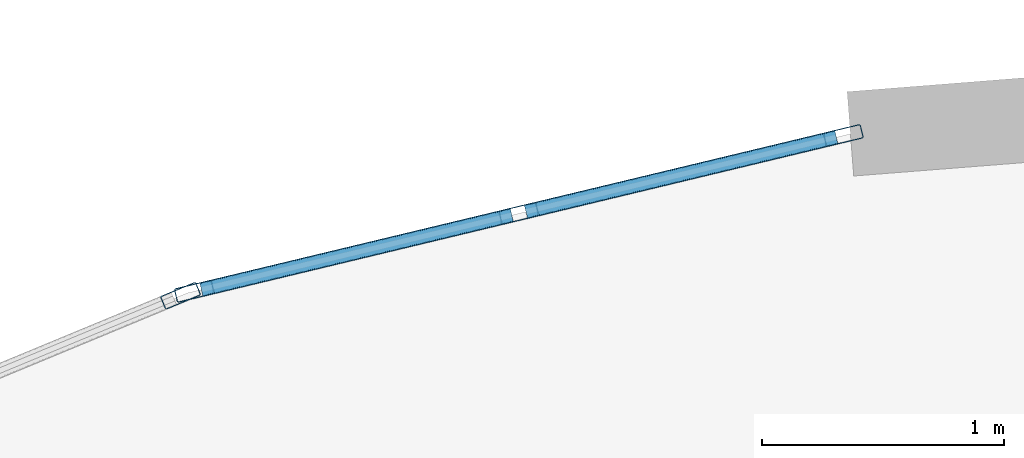
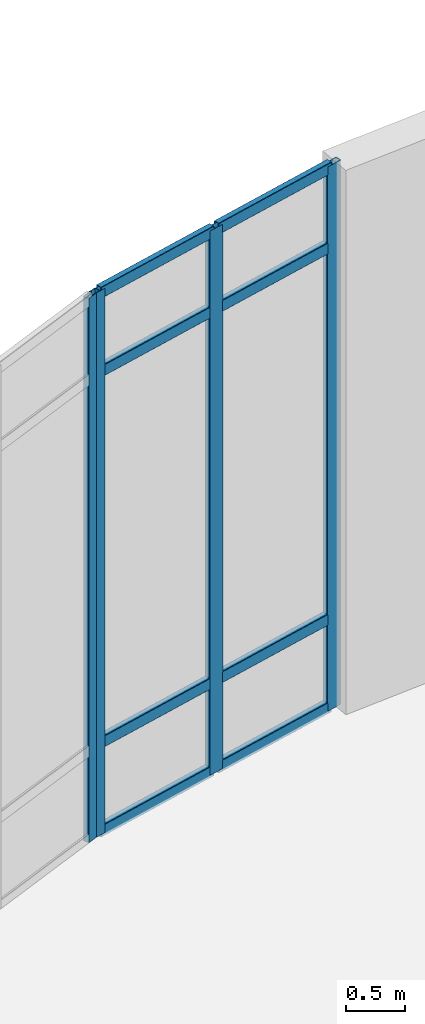
# One storey, part 23 of 82: 12 members, 2 elements without a shape of their own.
"""IFC4 building model written with IfcOpenShell, lengths in metres."""

from ifc_helpers import new_model, si_unit, derived_unit, direction, frame, origin, origin_2d, place, context, subcontext, project, spatial, hollow_rectangle, extrude, material, layer, layer_set, material_profile, profile_set, type_object, element, aggregate, save


model = new_model("IFC4")

# Units and contexts
model_context = context("Model", 3, precision=1e-05, world=origin(), true_north=direction((0.0, 1.0)))
body_context = subcontext(model_context, "Body", "Model", "MODEL_VIEW")
ifc_project = project(units=[si_unit("LENGTHUNIT", "METRE"), si_unit("AREAUNIT", "SQUARE_METRE"), si_unit("VOLUMEUNIT", "CUBIC_METRE"), si_unit("PLANEANGLEUNIT", "RADIAN"), si_unit("MASSUNIT", "GRAM", prefix="KILO"), derived_unit("THERMALTRANSMITTANCEUNIT", [(si_unit("MASSUNIT", "GRAM", prefix="KILO"), 1), (si_unit("TIMEUNIT", "SECOND"), -3), (si_unit("THERMODYNAMICTEMPERATUREUNIT", "KELVIN"), -1)])], contexts=[model_context])

# Site, building, storey
site_placement = place(None, origin())
site = spatial("IfcSite", under=ifc_project, at=site_placement, CompositionType="ELEMENT")
building_placement = place(site_placement, origin())
building = spatial("IfcBuilding", under=site, at=building_placement, Name="Qinzheling Arcade Emporium", CompositionType="ELEMENT")
storey_placement = place(building_placement, origin())
storey = spatial("IfcBuildingStorey", under=building, at=storey_placement, Name="L01", CompositionType="ELEMENT", Elevation=0.0)

# Curtain wall, member
ifc_material_1 = material(Name="Anodised aluminium and solar-control double glazing", Category="aluminium")
ifc_layer = layer(ifc_material_1, 0.159912109375, Name="Anodised aluminium and solar-control double glazing", Category="aluminium")
ifc_layer_set = layer_set([ifc_layer], Name="Anodised aluminium and solar-control double glazing")
curtain_wall_type = type_object("IfcCurtainWallType", Name="Curved Ribbon Sales Curtain Wall", PredefinedType="NOTDEFINED", material=ifc_layer_set)
curtain_wall_1_placement = place(storey_placement, origin())
curtain_wall_1 = element("IfcCurtainWall", 1, at=curtain_wall_1_placement, inside=storey, type_object=curtain_wall_type, Name="Curtain Wall CW-L01-033", PredefinedType="NOTDEFINED")
ifc_material_2 = material(Name="Anodised aluminium 6063-T6", Category="aluminium")
ifc_material_profile_1 = material_profile(ifc_material_2, hollow_rectangle(XDim=0.06005859375, YDim=0.159912109375, WallThickness=0.00390625, InnerFilletRadius=0.00390625, OuterFilletRadius=0.008056640625, at=origin_2d()), Name="RHS 160x60x4", Category="aluminium")
ifc_profile_set_1 = profile_set([ifc_material_profile_1], Name="Anodised aluminium 6063-T6")
member_type_1 = type_object("IfcMemberType", Name="Curtain Wall Mullion RHS160x60", PredefinedType="MULLION", material=ifc_profile_set_1)
member_1_placement = place(storey_placement, frame((64.6103515625, 113.70751953125, 0.0), z_axis=(0.0, 0.0, 1.0), x_axis=(-0.382654004198, 0.923891721508, 0.0)))
member_1 = element("IfcMember", 2, at=member_1_placement, type_object=member_type_1, Name="CW02 mullion 3", PredefinedType="MULLION", context=body_context, shape_type="SweptSolid", body=[
    extrude(hollow_rectangle(XDim=0.06005859375, YDim=0.159912109375, WallThickness=0.00390625, InnerFilletRadius=0.00390625, OuterFilletRadius=0.008056640625, at=origin_2d()), origin(), (0.0, 0.0, 1.0), 5.659912109375),
])
aggregate(curtain_wall_1, [member_1])

# Curtain wall, members
curtain_wall_2_placement = place(storey_placement, origin())
curtain_wall_2 = element("IfcCurtainWall", 3, at=curtain_wall_2_placement, inside=storey, type_object=curtain_wall_type, Name="Curtain Wall CW-L01-034", PredefinedType="NOTDEFINED")
member_2_placement = place(storey_placement, frame((64.667236328125, 113.72607421875, 0.0), z_axis=(0.0, 0.0, 1.0), x_axis=(-0.233359559423, 0.972390516216, 0.0)))
member_2 = element("IfcMember", 4, at=member_2_placement, type_object=member_type_1, Name="CW02 mullion 1", PredefinedType="MULLION", context=body_context, shape_type="SweptSolid", body=[
    extrude(hollow_rectangle(XDim=0.06005859375, YDim=0.159912109375, WallThickness=0.00390625, InnerFilletRadius=0.00390625, OuterFilletRadius=0.008056640625, at=origin_2d()), origin(), (0.0, 0.0, 1.0), 5.659912109375),
])
member_3_placement = place(storey_placement, frame((66.010986328125, 114.048583984375, 0.0), z_axis=(0.0, 0.0, 1.0), x_axis=(-0.233359559423, 0.972390516216, 0.0)))
member_3 = element("IfcMember", 5, at=member_3_placement, type_object=member_type_1, Name="CW02 mullion 2", PredefinedType="MULLION", context=body_context, shape_type="SweptSolid", body=[
    extrude(hollow_rectangle(XDim=0.06005859375, YDim=0.159912109375, WallThickness=0.00390625, InnerFilletRadius=0.00390625, OuterFilletRadius=0.008056640625, at=origin_2d()), origin(), (0.0, 0.0, 1.0), 5.659912109375),
])
member_4_placement = place(storey_placement, frame((67.354736328125, 114.37109375, 0.0), z_axis=(0.0, 0.0, 1.0), x_axis=(-0.233359559423, 0.972390516216, 0.0)))
member_4 = element("IfcMember", 6, at=member_4_placement, type_object=member_type_1, Name="CW02 mullion 3", PredefinedType="MULLION", context=body_context, shape_type="SweptSolid", body=[
    extrude(hollow_rectangle(XDim=0.06005859375, YDim=0.159912109375, WallThickness=0.00390625, InnerFilletRadius=0.00390625, OuterFilletRadius=0.008056640625, at=origin_2d()), origin(), (0.0, 0.0, 1.0), 5.659912109375),
])
ifc_material_profile_2 = material_profile(ifc_material_2, hollow_rectangle(XDim=0.06005859375, YDim=0.1201171875, WallThickness=0.00390625, InnerFilletRadius=0.00390625, OuterFilletRadius=0.008056640625, at=origin_2d()), Name="RHS 120x60x4", Category="aluminium")
ifc_profile_set_2 = profile_set([ifc_material_profile_2], Name="Anodised aluminium 6063-T6")
member_type_2 = type_object("IfcMemberType", Name="Curtain Wall Transom RHS120x60", PredefinedType="USERDEFINED", material=ifc_profile_set_2)
member_5_placement = place(storey_placement, frame((64.6962890625, 113.73291015625, 0.030029296875), z_axis=(0.972380597098, 0.23340088772, 0.0), x_axis=(-0.23340088772, 0.972380597098, 0.0)))
member_5 = element("IfcMember", 7, at=member_5_placement, type_object=member_type_2, Name="CW02 transom 1.1", ObjectType="TRANSOM", PredefinedType="USERDEFINED", context=body_context, shape_type="SweptSolid", body=[
    extrude(hollow_rectangle(XDim=0.06005859375, YDim=0.1201171875, WallThickness=0.00390625, InnerFilletRadius=0.00390625, OuterFilletRadius=0.008056640625, at=origin_2d()), origin(), (0.0, 0.0, 1.0), 1.322265625),
])
member_6_placement = place(storey_placement, frame((64.6962890625, 113.73291015625, 0.949951171875), z_axis=(0.972380597098, 0.23340088772, 0.0), x_axis=(-0.23340088772, 0.972380597098, 0.0)))
member_6 = element("IfcMember", 8, at=member_6_placement, type_object=member_type_2, Name="CW02 transom 1.2", ObjectType="TRANSOM", PredefinedType="USERDEFINED", context=body_context, shape_type="SweptSolid", body=[
    extrude(hollow_rectangle(XDim=0.06005859375, YDim=0.1201171875, WallThickness=0.00390625, InnerFilletRadius=0.00390625, OuterFilletRadius=0.008056640625, at=origin_2d()), origin(), (0.0, 0.0, 1.0), 1.322265625),
])
member_7_placement = place(storey_placement, frame((64.6962890625, 113.73291015625, 4.81005859375), z_axis=(0.972380597098, 0.23340088772, 0.0), x_axis=(-0.23340088772, 0.972380597098, 0.0)))
member_7 = element("IfcMember", 9, at=member_7_placement, type_object=member_type_2, Name="CW02 transom 1.3", ObjectType="TRANSOM", PredefinedType="USERDEFINED", context=body_context, shape_type="SweptSolid", body=[
    extrude(hollow_rectangle(XDim=0.06005859375, YDim=0.1201171875, WallThickness=0.00390625, InnerFilletRadius=0.00390625, OuterFilletRadius=0.008056640625, at=origin_2d()), origin(), (0.0, 0.0, 1.0), 1.322265625),
])
member_8_placement = place(storey_placement, frame((64.6962890625, 113.73291015625, 5.6298828125), z_axis=(0.972380597098, 0.23340088772, 0.0), x_axis=(-0.23340088772, 0.972380597098, 0.0)))
member_8 = element("IfcMember", 10, at=member_8_placement, type_object=member_type_2, Name="CW02 transom 1.4", ObjectType="TRANSOM", PredefinedType="USERDEFINED", context=body_context, shape_type="SweptSolid", body=[
    extrude(hollow_rectangle(XDim=0.06005859375, YDim=0.1201171875, WallThickness=0.00390625, InnerFilletRadius=0.00390625, OuterFilletRadius=0.008056640625, at=origin_2d()), origin(), (0.0, 0.0, 1.0), 1.322265625),
])
member_9_placement = place(storey_placement, frame((66.040283203125, 114.055419921875, 0.030029296875), z_axis=(0.972370535257, 0.233442802766, 0.0), x_axis=(-0.233442802766, 0.972370535257, 0.0)))
member_9 = element("IfcMember", 11, at=member_9_placement, type_object=member_type_2, Name="CW02 transom 2.1", ObjectType="TRANSOM", PredefinedType="USERDEFINED", context=body_context, shape_type="SweptSolid", body=[
    extrude(hollow_rectangle(XDim=0.06005859375, YDim=0.1201171875, WallThickness=0.00390625, InnerFilletRadius=0.00390625, OuterFilletRadius=0.008056640625, at=origin_2d()), origin(), (0.0, 0.0, 1.0), 1.322021484375),
])
member_10_placement = place(storey_placement, frame((66.040283203125, 114.055419921875, 0.949951171875), z_axis=(0.972370535257, 0.233442802766, 0.0), x_axis=(-0.233442802766, 0.972370535257, 0.0)))
member_10 = element("IfcMember", 12, at=member_10_placement, type_object=member_type_2, Name="CW02 transom 2.2", ObjectType="TRANSOM", PredefinedType="USERDEFINED", context=body_context, shape_type="SweptSolid", body=[
    extrude(hollow_rectangle(XDim=0.06005859375, YDim=0.1201171875, WallThickness=0.00390625, InnerFilletRadius=0.00390625, OuterFilletRadius=0.008056640625, at=origin_2d()), origin(), (0.0, 0.0, 1.0), 1.322021484375),
])
member_11_placement = place(storey_placement, frame((66.040283203125, 114.055419921875, 4.81005859375), z_axis=(0.972370535257, 0.233442802766, 0.0), x_axis=(-0.233442802766, 0.972370535257, 0.0)))
member_11 = element("IfcMember", 13, at=member_11_placement, type_object=member_type_2, Name="CW02 transom 2.3", ObjectType="TRANSOM", PredefinedType="USERDEFINED", context=body_context, shape_type="SweptSolid", body=[
    extrude(hollow_rectangle(XDim=0.06005859375, YDim=0.1201171875, WallThickness=0.00390625, InnerFilletRadius=0.00390625, OuterFilletRadius=0.008056640625, at=origin_2d()), origin(), (0.0, 0.0, 1.0), 1.322021484375),
])
member_12_placement = place(storey_placement, frame((66.040283203125, 114.055419921875, 5.6298828125), z_axis=(0.972370535257, 0.233442802766, 0.0), x_axis=(-0.233442802766, 0.972370535257, 0.0)))
member_12 = element("IfcMember", 14, at=member_12_placement, type_object=member_type_2, Name="CW02 transom 2.4", ObjectType="TRANSOM", PredefinedType="USERDEFINED", context=body_context, shape_type="SweptSolid", body=[
    extrude(hollow_rectangle(XDim=0.06005859375, YDim=0.1201171875, WallThickness=0.00390625, InnerFilletRadius=0.00390625, OuterFilletRadius=0.008056640625, at=origin_2d()), origin(), (0.0, 0.0, 1.0), 1.322021484375),
])
aggregate(curtain_wall_2, [member_2, member_3, member_4, member_5, member_6, member_7, member_8, member_9, member_10, member_11, member_12])

save(model, "model.ifc")
